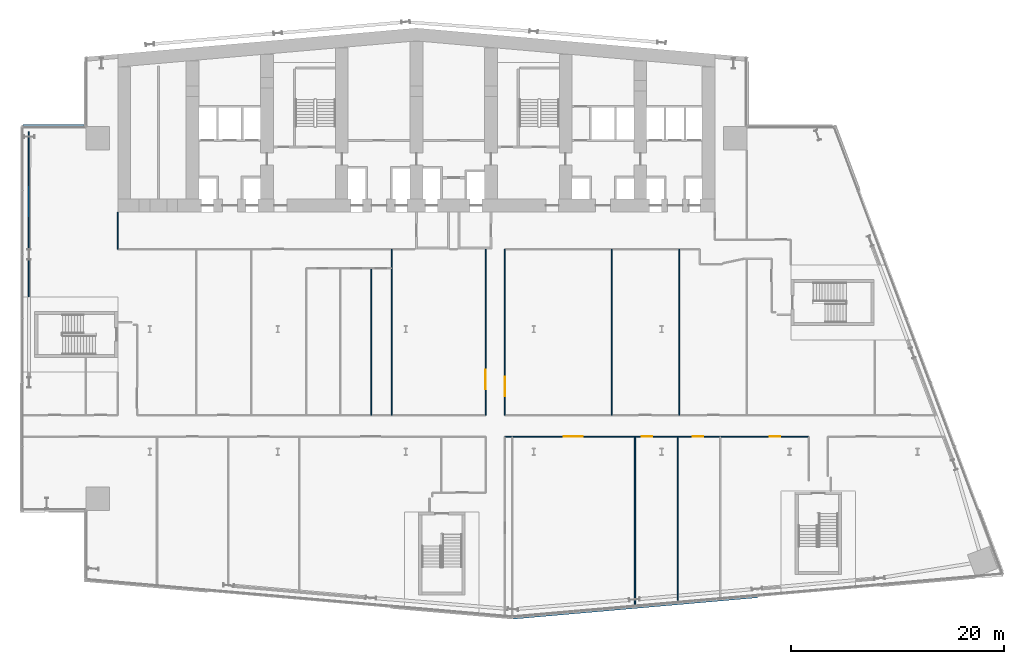
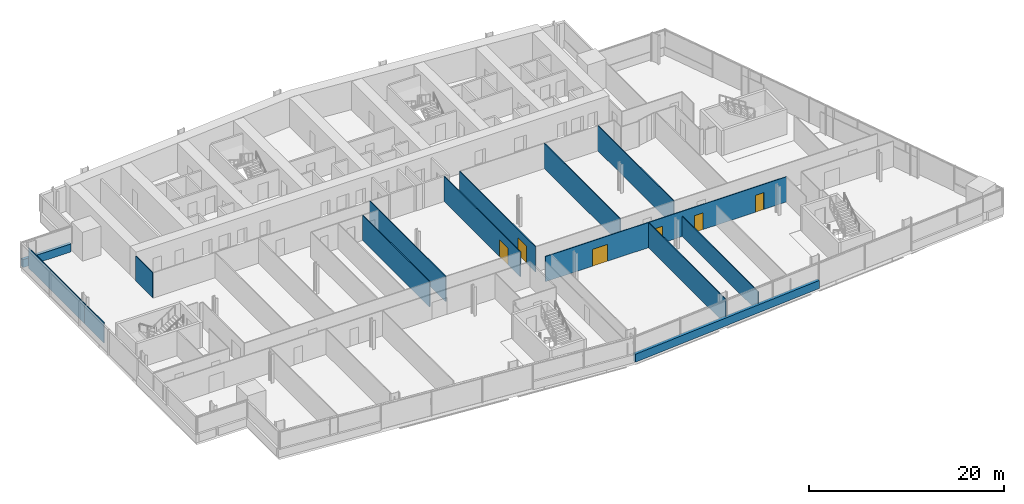
# One storey, part 14 of 24: 14 walls, 6 doors, 6 openings.
"""IFC4 building model written with IfcOpenShell, lengths in metres."""

from ifc_helpers import new_model, si_unit, direction, frame, frame_2d, origin, place, context, subcontext, project, spatial, rectangle, extrude, material, layer, layer_set, type_object, element, fill, save


model = new_model("IFC4")

# Units and contexts
model_context = context("Model", 3, precision=1e-05, world=origin(), true_north=direction((0.0, 1.0)))
body_context = subcontext(model_context, "Body", "Model", "MODEL_VIEW")
ifc_project = project(units=[si_unit("LENGTHUNIT", "METRE"), si_unit("AREAUNIT", "SQUARE_METRE"), si_unit("VOLUMEUNIT", "CUBIC_METRE"), si_unit("PLANEANGLEUNIT", "RADIAN"), si_unit("MASSUNIT", "GRAM", prefix="KILO")], contexts=[model_context])

# Site, building, storey
site_placement = place(None, origin())
site = spatial("IfcSite", under=ifc_project, at=site_placement, CompositionType="ELEMENT")
building_placement = place(site_placement, origin())
building = spatial("IfcBuilding", under=site, at=building_placement, Name="Wharfspan Tower", CompositionType="ELEMENT")
storey_placement = place(building_placement, frame((0.0, 0.0, 88.300049)))
storey = spatial("IfcBuildingStorey", under=building, at=storey_placement, Name="L19", CompositionType="ELEMENT", Elevation=88.300049)

# Walls
ifc_material_1 = material(Name="Gypsum board on steel studs", Category="steel")
ifc_layer_1 = layer(ifc_material_1, 0.100098)
ifc_layer_set_1 = layer_set([ifc_layer_1], Name="Gypsum board on steel studs")
wall_type_1 = type_object("IfcWallType", Name="Compartment wall 100 EI 60", PredefinedType="PARTITIONING", material=ifc_layer_set_1)
wall_1_placement = place(storey_placement, frame((9.0, 30.5, 0.0), z_axis=(0.0, 0.0, 1.0), x_axis=(0.0, 1.0, 0.0)))
element("IfcWall", 1, at=wall_1_placement, inside=storey, type_object=wall_type_1, Name="Partition L19.w008", PredefinedType="PARTITIONING", context=body_context, shape_type="SweptSolid", body=[
    extrude(rectangle(XDim=3.47998, YDim=0.100098, at=frame_2d((1.73999, 0.0))), origin(), (0.0, 0.0, 1.0), 3.149902),
])
wall_2_placement = place(storey_placement, frame((32.77002, 14.929932, 0.0), z_axis=(0.0, 0.0, 1.0), x_axis=(0.0, 1.0, 0.0)))
element("IfcWall", 2, at=wall_2_placement, inside=storey, type_object=wall_type_1, Name="Partition L19.w022", PredefinedType="PARTITIONING", context=body_context, shape_type="SweptSolid", body=[
    extrude(rectangle(XDim=13.77002, YDim=0.100098, at=frame_2d((6.88501, 0.0))), origin(), (0.0, 0.0, 1.0), 3.149902),
])
wall_3_placement = place(storey_placement, frame((34.669922, 14.929932, 0.0), z_axis=(0.0, 0.0, 1.0), x_axis=(0.0, 1.0, 0.0)))
element("IfcWall", 3, at=wall_3_placement, inside=storey, type_object=wall_type_1, Name="Partition L19.w024", PredefinedType="PARTITIONING", context=body_context, shape_type="SweptSolid", body=[
    extrude(rectangle(XDim=15.560059, YDim=0.100098, at=frame_2d((7.780029, 0.0))), origin(), (0.0, 0.0, 1.0), 3.149902),
])

# Wall, opening, door
wall_4_placement = place(storey_placement, frame((43.5, 14.929932, 0.0), z_axis=(0.0, 0.0, 1.0), x_axis=(0.0, 1.0, 0.0)))
wall_4 = element("IfcWall", 4, at=wall_4_placement, inside=storey, type_object=wall_type_1, Name="Partition L19.w030", PredefinedType="PARTITIONING", context=body_context, shape_type="SweptSolid", body=[
    extrude(rectangle(XDim=15.570068, YDim=0.100098, at=frame_2d((7.785156, 0.0))), origin(), (0.0, 0.0, 1.0), 3.149902),
])
opening_1_placement = place(wall_4_placement, frame((2.449951, 0.0, 0.0)))
opening_1 = element("IfcOpeningElement", 5, at=opening_1_placement, cuts=wall_4, Name="Opening A5-20", PredefinedType="OPENING", context=body_context, shape_type="SweptSolid", body=[
    extrude(rectangle(XDim=1.800049, YDim=2.100098, at=frame_2d((0.899902, 1.050049))), frame((0.0, 0.060059, 0.0), z_axis=(0.0, -1.0, 0.0), x_axis=(1.0, 0.0, 0.0)), (0.0, 0.0, 1.0), 0.120117),
])
ifc_material_2 = material(Name="Fire-rated timber door leaf in steel frame", Category="steel")
door_type_1 = type_object("IfcDoorType", Name="Door 1800 FD30S Double", OperationType="DOUBLE_DOOR_SINGLE_SWING", PredefinedType="DOOR", material=ifc_material_2)
door_1_placement = place(opening_1_placement, origin())
door_1 = element("IfcDoor", 6, at=door_1_placement, inside=storey, type_object=door_type_1, Name="Door A5-20", OperationType="DOUBLE_DOOR_SINGLE_SWING", OverallHeight=2.100098, OverallWidth=1.800049, PredefinedType="DOOR", context=body_context, shape_type="SweptSolid", body=[
    extrude(rectangle(XDim=1.800049, YDim=2.100098, at=frame_2d((0.899902, 1.050049))), frame((0.0, 0.024902, 0.0), z_axis=(0.0, -1.0, 0.0), x_axis=(1.0, 0.0, 0.0)), (0.0, 0.0, 1.0), 0.050049),
])
fill(opening_1, door_1)

# Wall, openings, doors
wall_5_placement = place(storey_placement, frame((45.300049, 12.925049, 0.0), z_axis=(0.0, 0.0, 1.0), x_axis=(1.0, 0.0, 0.0)))
wall_5 = element("IfcWall", 7, at=wall_5_placement, inside=storey, type_object=wall_type_1, Name="Partition L19.w032", PredefinedType="PARTITIONING", context=body_context, shape_type="SweptSolid", body=[
    extrude(rectangle(XDim=28.48999, YDim=0.100098, at=frame_2d((14.245117, 0.0))), origin(), (0.0, 0.0, 1.0), 3.149902),
])
opening_2_placement = place(wall_5_placement, frame((5.524902, 0.0, 0.0)))
opening_2 = element("IfcOpeningElement", 8, at=opening_2_placement, cuts=wall_5, Name="Opening A5-07", PredefinedType="OPENING", context=body_context, shape_type="SweptSolid", body=[
    extrude(rectangle(XDim=1.800049, YDim=2.100098, at=frame_2d((0.899902, 1.050049))), frame((0.0, 0.060059, 0.0), z_axis=(0.0, -1.0, 0.0), x_axis=(1.0, 0.0, 0.0)), (0.0, 0.0, 1.0), 0.120117),
])
opening_3_placement = place(wall_5_placement, frame((12.824951, 0.0, 0.0)))
opening_3 = element("IfcOpeningElement", 9, at=opening_3_placement, cuts=wall_5, Name="Opening A5-08", PredefinedType="OPENING", context=body_context, shape_type="SweptSolid", body=[
    extrude(rectangle(XDim=1.0, YDim=2.100098, at=frame_2d((0.5, 1.050049))), frame((0.0, 0.060059, 0.0), z_axis=(0.0, -1.0, 0.0), x_axis=(1.0, 0.0, 0.0)), (0.0, 0.0, 1.0), 0.120117),
])
opening_4_placement = place(wall_5_placement, frame((17.625, 0.0, 0.0)))
opening_4 = element("IfcOpeningElement", 10, at=opening_4_placement, cuts=wall_5, Name="Opening A5-09", PredefinedType="OPENING", context=body_context, shape_type="SweptSolid", body=[
    extrude(rectangle(XDim=1.0, YDim=2.100098, at=frame_2d((0.5, 1.050049))), frame((0.0, 0.060059, 0.0), z_axis=(0.0, -1.0, 0.0), x_axis=(1.0, 0.0, 0.0)), (0.0, 0.0, 1.0), 0.120117),
])
opening_5_placement = place(wall_5_placement, frame((24.824951, 0.0, 0.0)))
opening_5 = element("IfcOpeningElement", 11, at=opening_5_placement, cuts=wall_5, Name="Opening A5-10", PredefinedType="OPENING", context=body_context, shape_type="SweptSolid", body=[
    extrude(rectangle(XDim=1.0, YDim=2.100098, at=frame_2d((0.5, 1.050049))), frame((0.0, 0.060059, 0.0), z_axis=(0.0, -1.0, 0.0), x_axis=(1.0, 0.0, 0.0)), (0.0, 0.0, 1.0), 0.120117),
])
door_type_2 = type_object("IfcDoorType", Name="Door 1000 FD30S Left", OperationType="SINGLE_SWING_LEFT", PredefinedType="DOOR", material=ifc_material_2)
door_2_placement = place(opening_3_placement, origin())
door_2 = element("IfcDoor", 12, at=door_2_placement, inside=storey, type_object=door_type_2, Name="Door A5-08", OperationType="SINGLE_SWING_LEFT", OverallHeight=2.100098, OverallWidth=1.0, PredefinedType="DOOR", context=body_context, shape_type="SweptSolid", body=[
    extrude(rectangle(XDim=1.0, YDim=2.100098, at=frame_2d((0.5, 1.050049))), frame((0.0, 0.024902, 0.0), z_axis=(0.0, -1.0, 0.0), x_axis=(1.0, 0.0, 0.0)), (0.0, 0.0, 1.0), 0.050049),
])
fill(opening_3, door_2)
door_type_3 = type_object("IfcDoorType", Name="Door 1000 FD30S Right", OperationType="SINGLE_SWING_RIGHT", PredefinedType="DOOR", material=ifc_material_2)
door_3_placement = place(opening_4_placement, origin())
door_3 = element("IfcDoor", 13, at=door_3_placement, inside=storey, type_object=door_type_3, Name="Door A5-09", OperationType="SINGLE_SWING_RIGHT", OverallHeight=2.100098, OverallWidth=1.0, PredefinedType="DOOR", context=body_context, shape_type="SweptSolid", body=[
    extrude(rectangle(XDim=1.0, YDim=2.100098, at=frame_2d((0.5, 1.050049))), frame((0.0, 0.024902, 0.0), z_axis=(0.0, -1.0, 0.0), x_axis=(1.0, 0.0, 0.0)), (0.0, 0.0, 1.0), 0.050049),
])
fill(opening_4, door_3)
door_4_placement = place(opening_5_placement, origin())
door_4 = element("IfcDoor", 14, at=door_4_placement, inside=storey, type_object=door_type_3, Name="Door A5-10", OperationType="SINGLE_SWING_RIGHT", OverallHeight=2.100098, OverallWidth=1.0, PredefinedType="DOOR", context=body_context, shape_type="SweptSolid", body=[
    extrude(rectangle(XDim=1.0, YDim=2.100098, at=frame_2d((0.5, 1.050049))), frame((0.0, 0.024902, 0.0), z_axis=(0.0, -1.0, 0.0), x_axis=(1.0, 0.0, 0.0)), (0.0, 0.0, 1.0), 0.050049),
])
fill(opening_5, door_4)
door_5_placement = place(opening_2_placement, origin())
door_5 = element("IfcDoor", 15, at=door_5_placement, inside=storey, type_object=door_type_1, Name="Door A5-07", OperationType="DOUBLE_DOOR_SINGLE_SWING", OverallHeight=2.100098, OverallWidth=1.800049, PredefinedType="DOOR", context=body_context, shape_type="SweptSolid", body=[
    extrude(rectangle(XDim=1.800049, YDim=2.100098, at=frame_2d((0.899902, 1.050049))), frame((0.0, 0.024902, 0.0), z_axis=(0.0, -1.0, 0.0), x_axis=(1.0, 0.0, 0.0)), (0.0, 0.0, 1.0), 0.050049),
])
fill(opening_2, door_5)

# Wall, opening, door
wall_6_placement = place(storey_placement, frame((45.300049, 14.929932, 0.0), z_axis=(0.0, 0.0, 1.0), x_axis=(0.0, 1.0, 0.0)))
wall_6 = element("IfcWall", 16, at=wall_6_placement, inside=storey, type_object=wall_type_1, Name="Partition L19.w033", PredefinedType="PARTITIONING", context=body_context, shape_type="SweptSolid", body=[
    extrude(rectangle(XDim=15.570068, YDim=0.100098, at=frame_2d((7.785156, 0.0))), origin(), (0.0, 0.0, 1.0), 3.149902),
])
opening_6_placement = place(wall_6_placement, frame((1.784912, 0.0, 0.0)))
opening_6 = element("IfcOpeningElement", 17, at=opening_6_placement, cuts=wall_6, Name="Opening A5-19", PredefinedType="OPENING", context=body_context, shape_type="SweptSolid", body=[
    extrude(rectangle(XDim=1.800049, YDim=2.100098, at=frame_2d((0.899902, 1.050049))), frame((0.0, 0.060059, 0.0), z_axis=(0.0, -1.0, 0.0), x_axis=(1.0, 0.0, 0.0)), (0.0, 0.0, 1.0), 0.120117),
])
door_6_placement = place(opening_6_placement, origin())
door_6 = element("IfcDoor", 18, at=door_6_placement, inside=storey, type_object=door_type_1, Name="Door A5-19", OperationType="DOUBLE_DOOR_SINGLE_SWING", OverallHeight=2.100098, OverallWidth=1.800049, PredefinedType="DOOR", context=body_context, shape_type="SweptSolid", body=[
    extrude(rectangle(XDim=1.800049, YDim=2.100098, at=frame_2d((0.899902, 1.050049))), frame((0.0, 0.024902, 0.0), z_axis=(0.0, -1.0, 0.0), x_axis=(1.0, 0.0, 0.0)), (0.0, 0.0, 1.0), 0.050049),
])
fill(opening_6, door_6)

# Walls
wall_7_placement = place(storey_placement, frame((55.334961, 14.929932, 0.0), z_axis=(0.0, 0.0, 1.0), x_axis=(0.0, 1.0, 0.0)))
element("IfcWall", 19, at=wall_7_placement, inside=storey, type_object=wall_type_1, Name="Partition L19.w037", PredefinedType="PARTITIONING", context=body_context, shape_type="SweptSolid", body=[
    extrude(rectangle(XDim=15.570068, YDim=0.100098, at=frame_2d((7.785156, 0.0))), origin(), (0.0, 0.0, 1.0), 3.149902),
])
wall_8_placement = place(storey_placement, frame((57.5, -2.998291, 0.0), z_axis=(0.0, 0.0, 1.0), x_axis=(0.0, 1.0, 0.0)))
element("IfcWall", 20, at=wall_8_placement, inside=storey, type_object=wall_type_1, Name="Partition L19.w038", PredefinedType="PARTITIONING", context=body_context, shape_type="SweptSolid", body=[
    extrude(rectangle(XDim=15.92334, YDim=0.100098, at=frame_2d((7.96167, 0.0))), origin(), (0.0, 0.0, 1.0), 3.149902),
])
wall_9_placement = place(storey_placement, frame((61.5, -2.648193, 0.0), z_axis=(0.0, 0.0, 1.0), x_axis=(0.0, 1.0, 0.0)))
element("IfcWall", 21, at=wall_9_placement, inside=storey, type_object=wall_type_1, Name="Partition L19.w039", PredefinedType="PARTITIONING", context=body_context, shape_type="SweptSolid", body=[
    extrude(rectangle(XDim=15.573242, YDim=0.100098, at=frame_2d((7.786621, 0.0))), origin(), (0.0, 0.0, 1.0), 2.530029),
])
wall_10_placement = place(storey_placement, frame((61.669922, 14.929932, 0.0), z_axis=(0.0, 0.0, 1.0), x_axis=(0.0, 1.0, 0.0)))
element("IfcWall", 22, at=wall_10_placement, inside=storey, type_object=wall_type_1, Name="Partition L19.w040", PredefinedType="PARTITIONING", context=body_context, shape_type="SweptSolid", body=[
    extrude(rectangle(XDim=15.570068, YDim=0.100098, at=frame_2d((7.785156, 0.0))), origin(), (0.0, 0.0, 1.0), 3.149902),
])
ifc_layer_2 = layer(ifc_material_1, 0.100098)
ifc_layer_set_2 = layer_set([ifc_layer_2], Name="Gypsum board on steel studs")
wall_type_2 = type_object("IfcWallType", Name="Partition 100", PredefinedType="PARTITIONING", material=ifc_layer_set_2)
wall_11_placement = place(storey_placement, frame((0.629883, 26.02002, 0.0), z_axis=(0.0, 0.0, 1.0), x_axis=(0.0, 1.0, 0.0)))
element("IfcWall", 23, at=wall_11_placement, inside=storey, type_object=wall_type_2, Name="Partition L19.w004", PredefinedType="PARTITIONING", context=body_context, shape_type="SweptSolid", body=[
    extrude(rectangle(XDim=3.97998, YDim=0.100098, at=frame_2d((1.98999, 0.0))), origin(), (0.0, 0.0, 1.0), 2.530029),
])
wall_12_placement = place(storey_placement, frame((0.629883, 30.0, 0.0), z_axis=(0.0, 0.0, 1.0), x_axis=(0.00218, 0.999994, 0.0)))
element("IfcWall", 24, at=wall_12_placement, inside=storey, type_object=wall_type_2, Name="Partition L19.w005", PredefinedType="PARTITIONING", context=body_context, shape_type="SweptSolid", body=[
    extrude(rectangle(XDim=11.534912, YDim=0.100098, at=frame_2d((5.767578, 0.0))), origin(), (0.0, 0.0, 1.0), 2.530029),
])
ifc_material_3 = material(Name="Concrete C40/50", Category="concrete")
ifc_layer_3 = layer(ifc_material_3, 0.350098)
ifc_layer_set_3 = layer_set([ifc_layer_3], Name="Concrete C40/50")
wall_type_3 = type_object("IfcWallType", Name="SPANDREL EXPOSED CONCRETE 350", PredefinedType="SOLIDWALL", material=ifc_layer_set_3)
wall_13_placement = place(storey_placement, frame((46.04541, -4.025635, 0.0), z_axis=(0.0, 0.0, 1.0), x_axis=(0.99619, 0.087163, 0.0)))
element("IfcWall", 25, at=wall_13_placement, inside=storey, type_object=wall_type_3, Name="Spandrel upstand L19 S2 1", PredefinedType="SOLIDWALL", context=body_context, shape_type="SweptSolid", body=[
    extrude(rectangle(XDim=23.012695, YDim=0.350098, at=frame_2d((11.506348, 0.0))), origin(), (0.0, 0.0, 1.0), 1.0),
])
wall_14_placement = place(storey_placement, frame((5.820068, 42.004883, 0.0), z_axis=(0.0, 0.0, 1.0), x_axis=(-1.0, 0.0, 0.0)))
element("IfcWall", 26, at=wall_14_placement, inside=storey, type_object=wall_type_3, Name="Spandrel upstand L19 NRW-H", PredefinedType="SOLIDWALL", context=body_context, shape_type="SweptSolid", body=[
    extrude(rectangle(XDim=5.699951, YDim=0.350098, at=frame_2d((2.850098, 0.0))), origin(), (0.0, 0.0, 1.0), 1.0),
])

save(model, "model.ifc")
